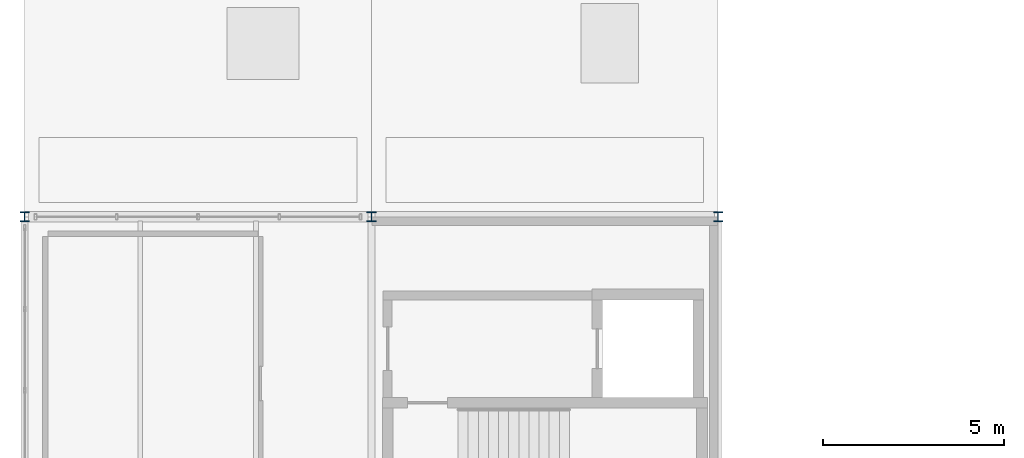
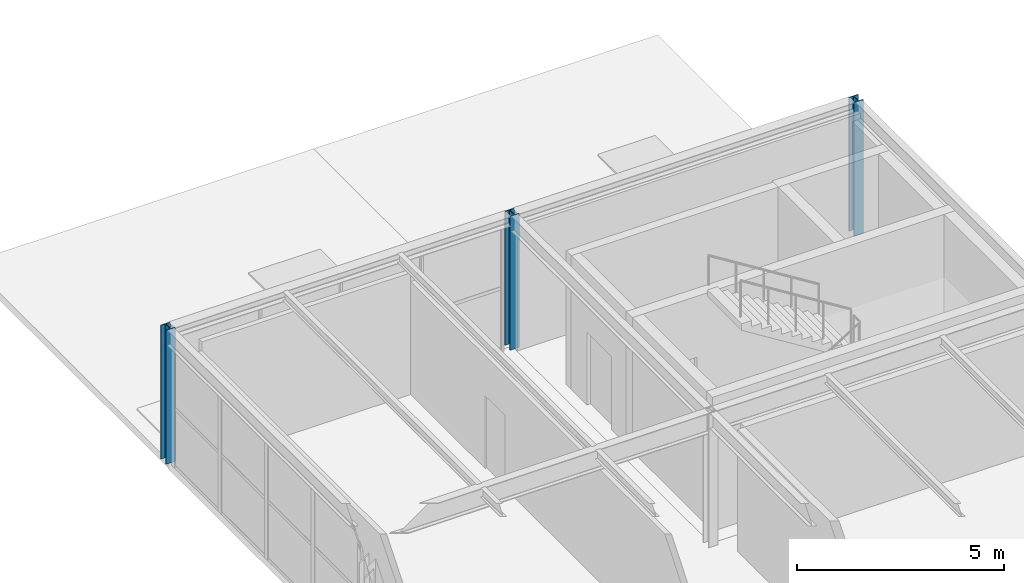
# One storey, part 3 of 39: 3 columns.
"""IFC4 building model written with IfcOpenShell, lengths in metres."""

from ifc_helpers import new_model, si_unit, direction, frame, origin, origin_2d, place, context, subcontext, project, spatial, i_section, extrude, material, material_profile, profile_set, type_object, element, save


model = new_model("IFC4")

# Units and contexts
model_context = context("Model", 3, precision=1e-05, world=origin(), true_north=direction((0.0, 1.0)))
body_context = subcontext(model_context, "Body", "Model", "MODEL_VIEW")
ifc_project = project(units=[si_unit("LENGTHUNIT", "METRE"), si_unit("AREAUNIT", "SQUARE_METRE"), si_unit("VOLUMEUNIT", "CUBIC_METRE"), si_unit("PLANEANGLEUNIT", "RADIAN"), si_unit("MASSUNIT", "GRAM", prefix="KILO")], contexts=[model_context])

# Site, building, storey
site_placement = place(None, origin())
site = spatial("IfcSite", under=ifc_project, at=site_placement, CompositionType="ELEMENT")
building_placement = place(site_placement, origin())
building = spatial("IfcBuilding", under=site, at=building_placement, Name="Coralgate Yard Interchange", CompositionType="ELEMENT")
storey_placement = place(building_placement, frame((0.0, 0.0, 18.89990234375)))
storey = spatial("IfcBuildingStorey", under=building, at=storey_placement, Name="L04", CompositionType="ELEMENT", Elevation=18.89990234375)

# Columns
ifc_material = material(Name="Structural steel S355J2", Category="steel")
ifc_material_profile = material_profile(ifc_material, i_section(OverallWidth=0.2587890625, OverallDepth=0.2666015625, WebThickness=0.0126953125, FlangeThickness=0.0205078125, FilletRadius=0.0126953125, at=origin_2d()), Name="UC 254x254x107")
ifc_profile_set = profile_set([ifc_material_profile], Name="Structural steel S355J2")
column_type = type_object("IfcColumnType", Name="COL-SC-7", PredefinedType="COLUMN", material=ifc_profile_set)
for number, where, z_axis, x_axis, name in (
    (1, (0.0, 38.39990234375, 0.0), (0.0, 0.0, 1.0), (1.0, 0.0, 0.0), "L04 structural column 0-4"),
    (2, (9.60009765625, 38.39990234375, 0.0), (0.0, 0.0, 1.0), (1.0, 0.0, 0.0), "L04 structural column 1-4"),
    (3, (19.199951171875, 38.39990234375, 0.0), (0.0, 0.0, 1.0), (1.0, 0.0, 0.0), "L04 structural column 2-4"),
):
    element("IfcColumn", number, at=place(storey_placement, frame(where, z_axis=z_axis, x_axis=x_axis)), inside=storey, type_object=column_type, Name=name, PredefinedType="COLUMN", context=body_context, shape_type="SweptSolid", body=[
        extrude(i_section(OverallWidth=0.2587890625, OverallDepth=0.2666015625, WebThickness=0.0126953125, FlangeThickness=0.0205078125, FilletRadius=0.0126953125, at=origin_2d()), origin(), (0.0, 0.0, 1.0), 3.9501953125),
    ])

save(model, "model.ifc")
